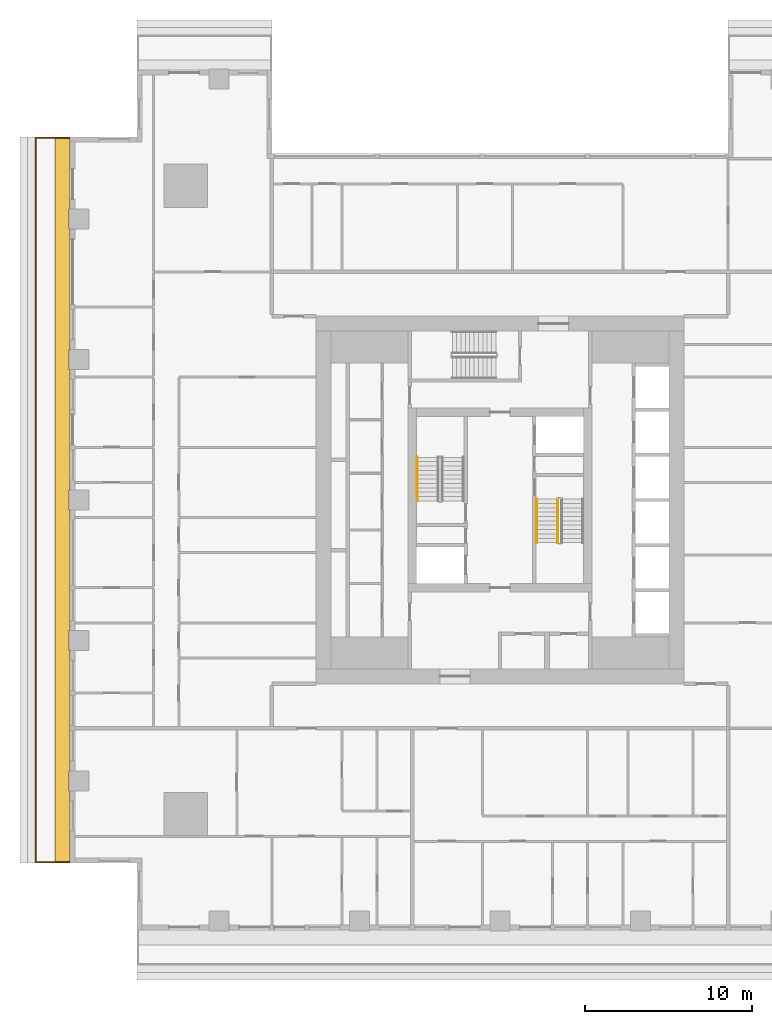
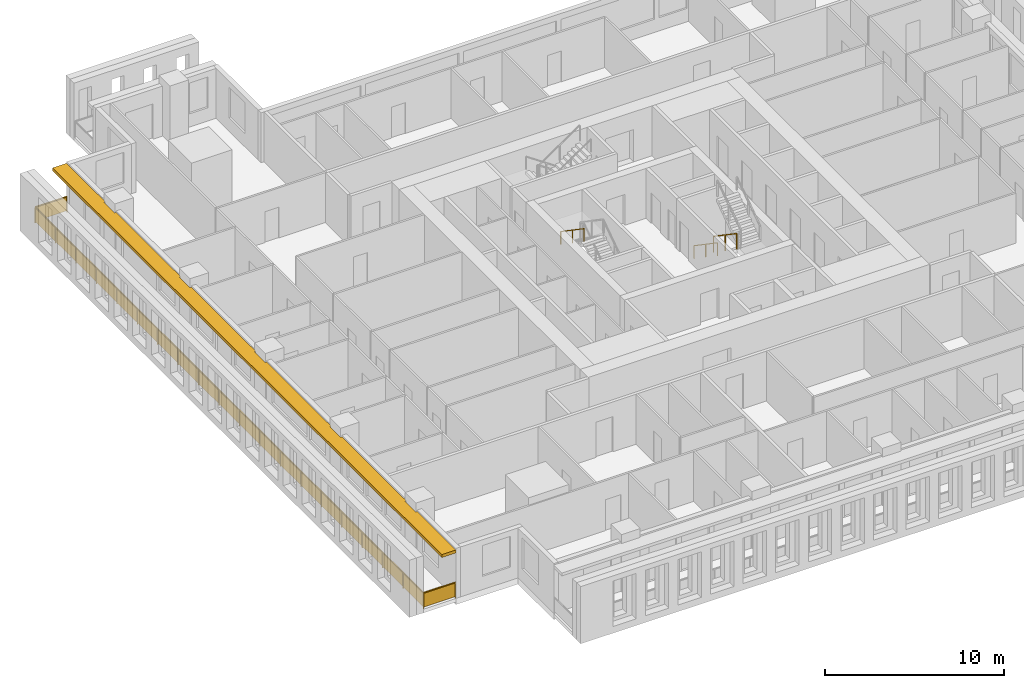
# One storey, part 12 of 16: 4 railings, 1 shading device.
"""IFC4 building model written with IfcOpenShell, lengths in metres."""

from ifc_helpers import new_model, si_unit, direction, frame, origin, origin_2d, place, context, subcontext, project, spatial, polyline, rectangle, outline, extrude, material, layer, layer_set, type_object, element, save


model = new_model("IFC4")

# Units and contexts
model_context = context("Model", 3, precision=1e-05, world=origin(), true_north=direction((0.0, 1.0)))
body_context = subcontext(model_context, "Body", "Model", "MODEL_VIEW")
ifc_project = project(units=[si_unit("LENGTHUNIT", "METRE"), si_unit("AREAUNIT", "SQUARE_METRE"), si_unit("VOLUMEUNIT", "CUBIC_METRE"), si_unit("PLANEANGLEUNIT", "RADIAN"), si_unit("MASSUNIT", "GRAM", prefix="KILO")], contexts=[model_context])

# Site, building, storey
site_placement = place(None, origin())
site = spatial("IfcSite", under=ifc_project, at=site_placement, CompositionType="ELEMENT")
building_placement = place(site_placement, origin())
building = spatial("IfcBuilding", under=site, at=building_placement, Name="Khepri Terraces", CompositionType="ELEMENT")
storey_placement = place(building_placement, frame((0.0, 0.0, 176.699951171875)))
storey = spatial("IfcBuildingStorey", under=building, at=storey_placement, Name="L42", CompositionType="ELEMENT", Elevation=176.699951171875)

# Railings
ifc_material_1 = material(Name="Stainless steel grade 316", Category="steel")
railing_type_1 = type_object("IfcRailingType", Name="GRD-BAL-1100", PredefinedType="GUARDRAIL", material=ifc_material_1)
railing_1_placement = place(storey_placement, frame((-25.719970703125, 21.669921875, 0.0)))
element("IfcRailing", 1, at=railing_1_placement, inside=storey, type_object=railing_type_1, Name="Balcony guard L42 W", PredefinedType="GUARDRAIL", context=body_context, shape_type="SweptSolid", body=[
    extrude(rectangle(XDim=0.050048828125, YDim=0.06005859375, at=origin_2d()), frame((0.0, 0.0, 1.070068359375), z_axis=(-1.0, 0.0, 0.0), x_axis=(0.0, -1.0, 0.0)), (0.0, 0.0, 1.0), 2.050048828125),
    extrude(rectangle(XDim=2.0, YDim=0.011962890625, at=origin_2d()), frame((-1.02490234375, 0.0, 0.10009765625), z_axis=(0.0, 0.0, 1.0), x_axis=(-1.0, 0.0, 0.0)), (0.0, 0.0, 1.0), 0.93994140625),
    extrude(rectangle(XDim=0.050048828125, YDim=0.06005859375, at=origin_2d()), frame((-2.050048828125, 0.0, 1.070068359375), z_axis=(0.0, -1.0, 0.0), x_axis=(1.0, 0.0, 0.0)), (0.0, 0.0, 1.0), 43.33984375),
    extrude(rectangle(XDim=2.23095703125, YDim=0.011962890625, at=origin_2d()), frame((-2.050048828125, -1.140625, 0.10009765625), z_axis=(0.0, 0.0, 1.0), x_axis=(0.0, -1.0, 0.0)), (0.0, 0.0, 1.0), 0.93994140625),
    extrude(rectangle(XDim=2.23095703125, YDim=0.011962890625, at=origin_2d()), frame((-2.050048828125, -3.421630859375, 0.10009765625), z_axis=(0.0, 0.0, 1.0), x_axis=(0.0, -1.0, 0.0)), (0.0, 0.0, 1.0), 0.93994140625),
    extrude(rectangle(XDim=2.23095703125, YDim=0.011962890625, at=origin_2d()), frame((-2.050048828125, -5.70263671875, 0.10009765625), z_axis=(0.0, 0.0, 1.0), x_axis=(0.0, -1.0, 0.0)), (0.0, 0.0, 1.0), 0.93994140625),
    extrude(rectangle(XDim=2.23095703125, YDim=0.011962890625, at=origin_2d()), frame((-2.050048828125, -7.983642578125, 0.10009765625), z_axis=(0.0, 0.0, 1.0), x_axis=(0.0, -1.0, 0.0)), (0.0, 0.0, 1.0), 0.93994140625),
    extrude(rectangle(XDim=2.23095703125, YDim=0.011962890625, at=origin_2d()), frame((-2.050048828125, -10.2646484375, 0.10009765625), z_axis=(0.0, 0.0, 1.0), x_axis=(0.0, -1.0, 0.0)), (0.0, 0.0, 1.0), 0.93994140625),
    extrude(rectangle(XDim=2.23095703125, YDim=0.011962890625, at=origin_2d()), frame((-2.050048828125, -12.545654296875, 0.10009765625), z_axis=(0.0, 0.0, 1.0), x_axis=(0.0, -1.0, 0.0)), (0.0, 0.0, 1.0), 0.93994140625),
    extrude(rectangle(XDim=2.23095703125, YDim=0.011962890625, at=origin_2d()), frame((-2.050048828125, -14.826904296875, 0.10009765625), z_axis=(0.0, 0.0, 1.0), x_axis=(0.0, -1.0, 0.0)), (0.0, 0.0, 1.0), 0.93994140625),
    extrude(rectangle(XDim=2.23095703125, YDim=0.011962890625, at=origin_2d()), frame((-2.050048828125, -17.10791015625, 0.10009765625), z_axis=(0.0, 0.0, 1.0), x_axis=(0.0, -1.0, 0.0)), (0.0, 0.0, 1.0), 0.93994140625),
    extrude(rectangle(XDim=2.23095703125, YDim=0.011962890625, at=origin_2d()), frame((-2.050048828125, -19.388916015625, 0.10009765625), z_axis=(0.0, 0.0, 1.0), x_axis=(0.0, -1.0, 0.0)), (0.0, 0.0, 1.0), 0.93994140625),
    extrude(rectangle(XDim=2.23095703125, YDim=0.011962890625, at=origin_2d()), frame((-2.050048828125, -21.669921875, 0.10009765625), z_axis=(0.0, 0.0, 1.0), x_axis=(0.0, -1.0, 0.0)), (0.0, 0.0, 1.0), 0.93994140625),
    extrude(rectangle(XDim=2.23095703125, YDim=0.011962890625, at=origin_2d()), frame((-2.050048828125, -23.950927734375, 0.10009765625), z_axis=(0.0, 0.0, 1.0), x_axis=(0.0, -1.0, 0.0)), (0.0, 0.0, 1.0), 0.93994140625),
    extrude(rectangle(XDim=2.23095703125, YDim=0.011962890625, at=origin_2d()), frame((-2.050048828125, -26.23193359375, 0.10009765625), z_axis=(0.0, 0.0, 1.0), x_axis=(0.0, -1.0, 0.0)), (0.0, 0.0, 1.0), 0.93994140625),
    extrude(rectangle(XDim=2.23095703125, YDim=0.011962890625, at=origin_2d()), frame((-2.050048828125, -28.512939453125, 0.10009765625), z_axis=(0.0, 0.0, 1.0), x_axis=(0.0, -1.0, 0.0)), (0.0, 0.0, 1.0), 0.93994140625),
    extrude(rectangle(XDim=2.23095703125, YDim=0.011962890625, at=origin_2d()), frame((-2.050048828125, -30.794189453125, 0.10009765625), z_axis=(0.0, 0.0, 1.0), x_axis=(0.0, -1.0, 0.0)), (0.0, 0.0, 1.0), 0.93994140625),
    extrude(rectangle(XDim=2.23095703125, YDim=0.011962890625, at=origin_2d()), frame((-2.050048828125, -33.0751953125, 0.10009765625), z_axis=(0.0, 0.0, 1.0), x_axis=(0.0, -1.0, 0.0)), (0.0, 0.0, 1.0), 0.93994140625),
    extrude(rectangle(XDim=2.23095703125, YDim=0.011962890625, at=origin_2d()), frame((-2.050048828125, -35.356201171875, 0.10009765625), z_axis=(0.0, 0.0, 1.0), x_axis=(0.0, -1.0, 0.0)), (0.0, 0.0, 1.0), 0.93994140625),
    extrude(rectangle(XDim=2.23095703125, YDim=0.011962890625, at=origin_2d()), frame((-2.050048828125, -37.63720703125, 0.10009765625), z_axis=(0.0, 0.0, 1.0), x_axis=(0.0, -1.0, 0.0)), (0.0, 0.0, 1.0), 0.93994140625),
    extrude(rectangle(XDim=2.23095703125, YDim=0.011962890625, at=origin_2d()), frame((-2.050048828125, -39.918212890625, 0.10009765625), z_axis=(0.0, 0.0, 1.0), x_axis=(0.0, -1.0, 0.0)), (0.0, 0.0, 1.0), 0.93994140625),
    extrude(rectangle(XDim=2.23095703125, YDim=0.011962890625, at=origin_2d()), frame((-2.050048828125, -42.19921875, 0.10009765625), z_axis=(0.0, 0.0, 1.0), x_axis=(0.0, -1.0, 0.0)), (0.0, 0.0, 1.0), 0.93994140625),
    extrude(rectangle(XDim=0.050048828125, YDim=0.06005859375, at=origin_2d()), frame((-2.050048828125, -43.33984375, 1.070068359375), z_axis=(1.0, 0.0, 0.0), x_axis=(0.0, 1.0, 0.0)), (0.0, 0.0, 1.0), 2.050048828125),
    extrude(rectangle(XDim=2.0, YDim=0.011962890625, at=origin_2d()), frame((-1.02490234375, -43.33984375, 0.10009765625), z_axis=(0.0, 0.0, 1.0), x_axis=(1.0, 0.0, 0.0)), (0.0, 0.0, 1.0), 0.93994140625),
    extrude(rectangle(XDim=0.050048828125, YDim=0.050048828125, at=origin_2d()), origin(), (0.0, 0.0, 1.0), 1.0400390625),
    extrude(rectangle(XDim=0.050048828125, YDim=0.050048828125, at=origin_2d()), frame((-2.050048828125, 0.0, 0.0)), (0.0, 0.0, 1.0), 1.0400390625),
    extrude(rectangle(XDim=0.050048828125, YDim=0.050048828125, at=origin_2d()), frame((-2.050048828125, -2.281005859375, 0.0)), (0.0, 0.0, 1.0), 1.0400390625),
    extrude(rectangle(XDim=0.050048828125, YDim=0.050048828125, at=origin_2d()), frame((-2.050048828125, -4.56201171875, 0.0)), (0.0, 0.0, 1.0), 1.0400390625),
    extrude(rectangle(XDim=0.050048828125, YDim=0.050048828125, at=origin_2d()), frame((-2.050048828125, -6.843017578125, 0.0)), (0.0, 0.0, 1.0), 1.0400390625),
    extrude(rectangle(XDim=0.050048828125, YDim=0.050048828125, at=origin_2d()), frame((-2.050048828125, -9.124267578125, 0.0)), (0.0, 0.0, 1.0), 1.0400390625),
    extrude(rectangle(XDim=0.050048828125, YDim=0.050048828125, at=origin_2d()), frame((-2.050048828125, -11.4052734375, 0.0)), (0.0, 0.0, 1.0), 1.0400390625),
    extrude(rectangle(XDim=0.050048828125, YDim=0.050048828125, at=origin_2d()), frame((-2.050048828125, -13.686279296875, 0.0)), (0.0, 0.0, 1.0), 1.0400390625),
    extrude(rectangle(XDim=0.050048828125, YDim=0.050048828125, at=origin_2d()), frame((-2.050048828125, -15.96728515625, 0.0)), (0.0, 0.0, 1.0), 1.0400390625),
    extrude(rectangle(XDim=0.050048828125, YDim=0.050048828125, at=origin_2d()), frame((-2.050048828125, -18.248291015625, 0.0)), (0.0, 0.0, 1.0), 1.0400390625),
    extrude(rectangle(XDim=0.050048828125, YDim=0.050048828125, at=origin_2d()), frame((-2.050048828125, -20.529296875, 0.0)), (0.0, 0.0, 1.0), 1.0400390625),
    extrude(rectangle(XDim=0.050048828125, YDim=0.050048828125, at=origin_2d()), frame((-2.050048828125, -22.810546875, 0.0)), (0.0, 0.0, 1.0), 1.0400390625),
    extrude(rectangle(XDim=0.050048828125, YDim=0.050048828125, at=origin_2d()), frame((-2.050048828125, -25.091552734375, 0.0)), (0.0, 0.0, 1.0), 1.0400390625),
    extrude(rectangle(XDim=0.050048828125, YDim=0.050048828125, at=origin_2d()), frame((-2.050048828125, -27.37255859375, 0.0)), (0.0, 0.0, 1.0), 1.0400390625),
    extrude(rectangle(XDim=0.050048828125, YDim=0.050048828125, at=origin_2d()), frame((-2.050048828125, -29.653564453125, 0.0)), (0.0, 0.0, 1.0), 1.0400390625),
    extrude(rectangle(XDim=0.050048828125, YDim=0.050048828125, at=origin_2d()), frame((-2.050048828125, -31.9345703125, 0.0)), (0.0, 0.0, 1.0), 1.0400390625),
    extrude(rectangle(XDim=0.050048828125, YDim=0.050048828125, at=origin_2d()), frame((-2.050048828125, -34.215576171875, 0.0)), (0.0, 0.0, 1.0), 1.0400390625),
    extrude(rectangle(XDim=0.050048828125, YDim=0.050048828125, at=origin_2d()), frame((-2.050048828125, -36.496826171875, 0.0)), (0.0, 0.0, 1.0), 1.0400390625),
    extrude(rectangle(XDim=0.050048828125, YDim=0.050048828125, at=origin_2d()), frame((-2.050048828125, -38.77783203125, 0.0)), (0.0, 0.0, 1.0), 1.0400390625),
    extrude(rectangle(XDim=0.050048828125, YDim=0.050048828125, at=origin_2d()), frame((-2.050048828125, -41.058837890625, 0.0)), (0.0, 0.0, 1.0), 1.0400390625),
    extrude(rectangle(XDim=0.050048828125, YDim=0.050048828125, at=origin_2d()), frame((-2.050048828125, -43.33984375, 0.0)), (0.0, 0.0, 1.0), 1.0400390625),
    extrude(rectangle(XDim=0.050048828125, YDim=0.050048828125, at=origin_2d()), frame((0.0, -43.33984375, 0.0)), (0.0, 0.0, 1.0), 1.0400390625),
])
ifc_material_2 = material(Name="Stainless steel 316", Category="steel")
railing_type_2 = type_object("IfcRailingType", Name="RL-CORE-GUARD", PredefinedType="GUARDRAIL", material=ifc_material_2)
railing_2_placement = place(storey_placement, frame((3.449951171875, 0.050048828125, 0.17724609375)))
element("IfcRailing", 2, at=railing_2_placement, inside=storey, type_object=railing_type_2, Name="L42 ST-2 stair guard 1", PredefinedType="GUARDRAIL", context=body_context, shape_type="SweptSolid", body=[
    extrude(rectangle(XDim=0.050048828125, YDim=0.06005859375, at=origin_2d()), frame((0.0, 0.0, 1.070068359375), z_axis=(0.0, -0.826240473404, 0.563317565952), x_axis=(1.0, 0.0, 0.0)), (0.0, 0.0, 1.0), 3.14697265625),
    extrude(rectangle(XDim=0.050048828125, YDim=0.050048828125, at=origin_2d()), origin(), (0.0, 0.0, 1.0), 1.0400390625),
    extrude(rectangle(XDim=0.050048828125, YDim=0.050048828125, at=origin_2d()), frame((0.0, -1.300048828125, 0.88623046875)), (0.0, 0.0, 1.0), 1.0400390625),
    extrude(rectangle(XDim=0.050048828125, YDim=0.050048828125, at=origin_2d()), frame((0.0, -2.60009765625, 1.772705078125)), (0.0, 0.0, 1.0), 1.0400390625),
])
railing_type_3 = type_object("IfcRailingType", Name="RL-CORE-HANDRAIL", PredefinedType="HANDRAIL", material=ifc_material_2)
for number, where, name in (
    (3, (-4.949951171875, 2.550048828125, 2.12744140625), "L42 ST-1 stair handrail 2"),
    (4, (2.199951171875, 0.050048828125, 0.17724609375), "L42 ST-2 stair handrail 1"),
):
    element("IfcRailing", number, at=place(storey_placement, frame(where)), inside=storey, type_object=railing_type_3, Name=name, PredefinedType="HANDRAIL", context=body_context, shape_type="SweptSolid", body=[
        extrude(rectangle(XDim=0.050048828125, YDim=0.050048828125, at=origin_2d()), frame((0.0, 0.0, 0.875), z_axis=(0.0, -0.826240473404, 0.563317565952), x_axis=(1.0, 0.0, 0.0)), (0.0, 0.0, 1.0), 3.14697265625),
        extrude(rectangle(XDim=0.050048828125, YDim=0.050048828125, at=origin_2d()), origin(), (0.0, 0.0, 1.0), 0.849853515625),
        extrude(rectangle(XDim=0.050048828125, YDim=0.050048828125, at=origin_2d()), frame((0.0, -1.300048828125, 0.88623046875)), (0.0, 0.0, 1.0), 0.849853515625),
        extrude(rectangle(XDim=0.050048828125, YDim=0.050048828125, at=origin_2d()), frame((0.0, -2.60009765625, 1.772705078125)), (0.0, 0.0, 1.0), 0.849853515625),
    ])

# Shading device
ifc_material_3 = material(Name="Precast concrete C50/60 warm stone", Category="masonry")
ifc_layer = layer(ifc_material_3, 0.199951171875, Name="Precast concrete C50/60 warm stone", Category="masonry")
ifc_layer_set = layer_set([ifc_layer], Name="Precast concrete C50/60 warm stone")
shading_device_type = type_object("IfcShadingDeviceType", Name="SSH-BAND-STONE-200", PredefinedType="USERDEFINED", material=ifc_layer_set)
shading_device_placement = place(storey_placement, frame((0.0, 0.0, 3.10009765625)))
element("IfcShadingDevice", 5, at=shading_device_placement, inside=storey, type_object=shading_device_type, Name="Sunshade band L42 W", ObjectType="SUNSHADE", PredefinedType="USERDEFINED", context=body_context, shape_type="SweptSolid", body=[
    extrude(outline(polyline([(-25.719970703125, 17.39990234375), (-25.719970703125, 21.719970703125), (-26.6201171875, 21.719970703125), (-26.6201171875, -21.719970703125), (-25.719970703125, -21.719970703125), (-25.719970703125, -17.39990234375), (-25.800048828125, -17.39990234375), (-25.800048828125, -16.199951171875), (-25.719970703125, -16.199951171875), (-25.719970703125, -9.0), (-25.800048828125, -9.0), (-25.800048828125, -7.800048828125), (-25.719970703125, -7.800048828125), (-25.719970703125, -0.60009765625), (-25.800048828125, -0.60009765625), (-25.800048828125, 0.60009765625), (-25.719970703125, 0.60009765625), (-25.719970703125, 7.800048828125), (-25.800048828125, 7.800048828125), (-25.800048828125, 9.0), (-25.719970703125, 9.0), (-25.719970703125, 16.199951171875), (-25.800048828125, 16.199951171875), (-25.800048828125, 17.39990234375), (-25.719970703125, 17.39990234375)])), origin(), (0.0, 0.0, 1.0), 0.199951171875),
])

save(model, "model.ifc")
